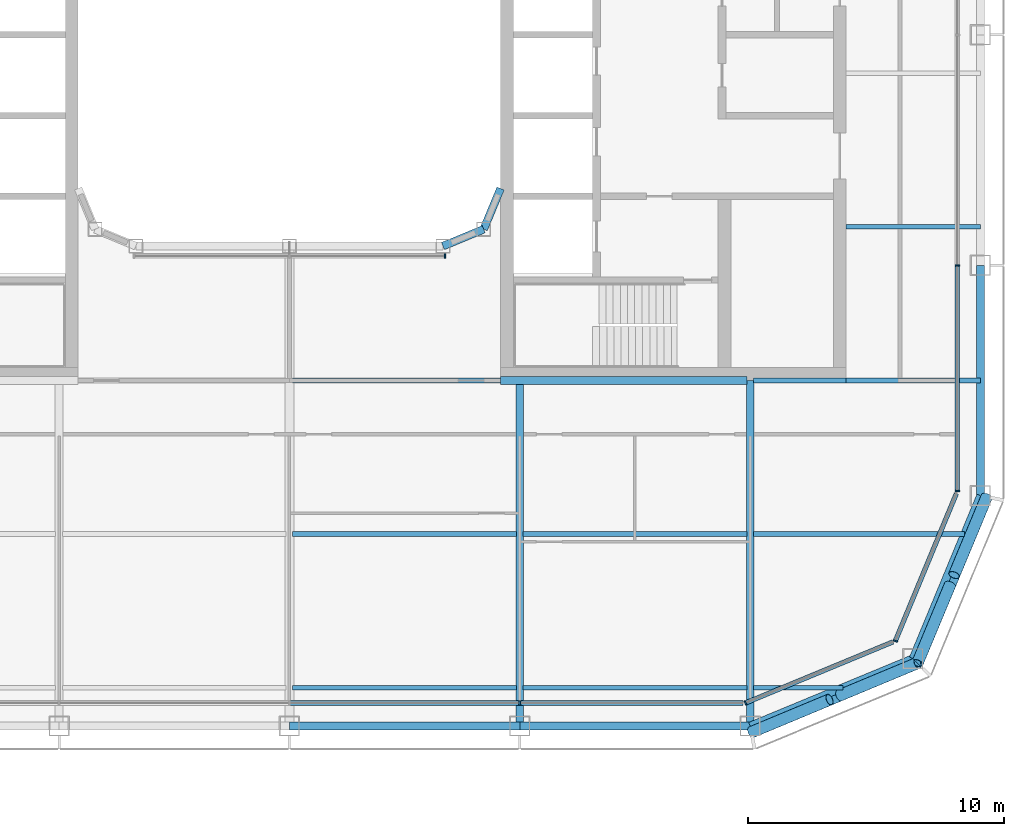
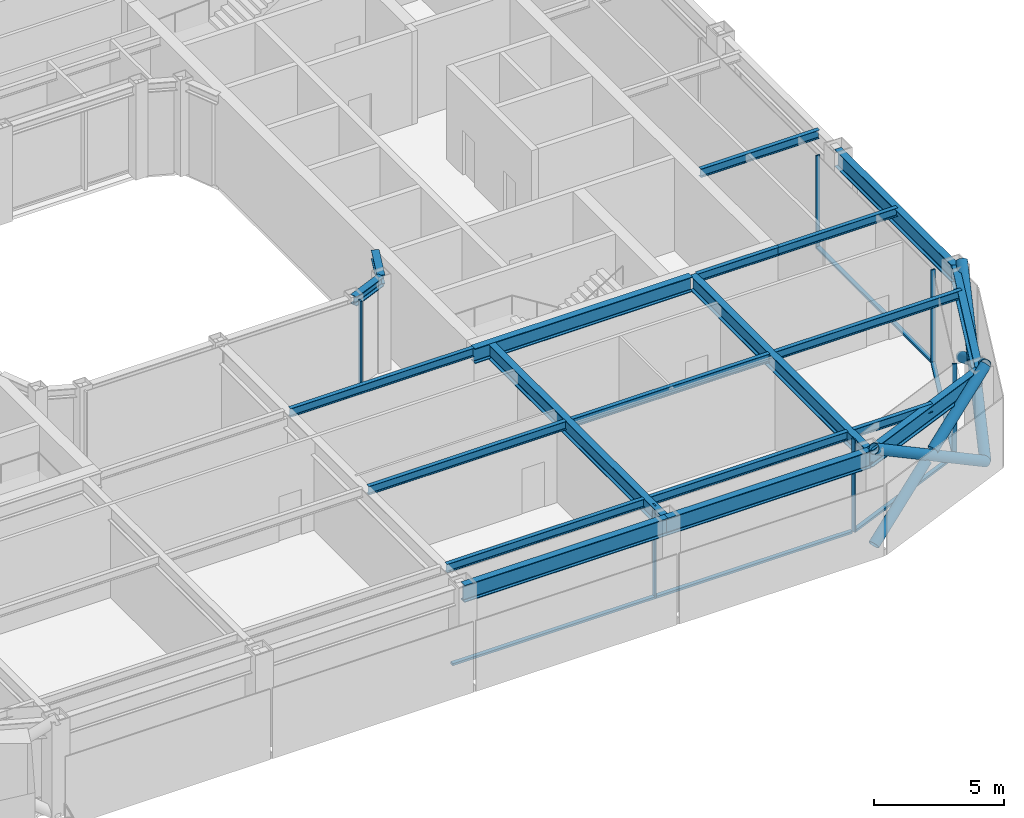
# One storey, part 4 of 23: 20 beams, 17 members, 5 elements without a shape of their own.
"""IFC4 building model written with IfcOpenShell, lengths in metres."""

from ifc_helpers import new_model, si_unit, direction, frame, origin, origin_2d, place, context, subcontext, project, spatial, rectangle, hollow_circle, i_section, extrude, material, layer, layer_set, material_profile, profile_set, type_object, element, aggregate, save


model = new_model("IFC4")

# Units and contexts
model_context = context("Model", 3, precision=1e-05, world=origin(), true_north=direction((0.0, 1.0)))
body_context = subcontext(model_context, "Body", "Model", "MODEL_VIEW")
ifc_project = project(units=[si_unit("LENGTHUNIT", "METRE"), si_unit("AREAUNIT", "SQUARE_METRE"), si_unit("VOLUMEUNIT", "CUBIC_METRE"), si_unit("PLANEANGLEUNIT", "RADIAN"), si_unit("MASSUNIT", "GRAM", prefix="KILO")], contexts=[model_context])

# Site, building, storey
site_placement = place(None, origin())
site = spatial("IfcSite", under=ifc_project, at=site_placement, CompositionType="ELEMENT")
building_placement = place(site_placement, origin())
building = spatial("IfcBuilding", under=site, at=building_placement, Name="Siwar Civic Tower", CompositionType="ELEMENT")
storey_placement = place(building_placement, frame((0.0, 0.0, 269.199951171875)))
storey = spatial("IfcBuildingStorey", under=building, at=storey_placement, Name="L58", CompositionType="ELEMENT", Elevation=269.199951171875)

# Curtain wall, member
ifc_material_1 = material(Name="Aluminium and glass", Category="aluminium")
ifc_layer_1 = layer(ifc_material_1, 0.179931640625)
ifc_layer_set_1 = layer_set([ifc_layer_1], Name="Aluminium and glass")
curtain_wall_type_1 = type_object("IfcCurtainWallType", Name="ENV-CW-C", PredefinedType="NOTDEFINED", material=ifc_layer_set_1)
curtain_wall_1_placement = place(storey_placement, origin())
curtain_wall_1 = element("IfcCurtainWall", 1, at=curtain_wall_1_placement, inside=storey, type_object=curtain_wall_type_1, Name="Curtain wall C S", PredefinedType="NOTDEFINED")
ifc_material_2 = material(Name="Aluminium 6063-T6", Category="aluminium")
ifc_material_profile_1 = material_profile(ifc_material_2, rectangle(XDim=0.179931640625, YDim=0.06005859375, at=origin_2d()), Name="AL 180x60")
ifc_profile_set_1 = profile_set([ifc_material_profile_1], Name="Aluminium 6063-T6")
member_type_1 = type_object("IfcMemberType", Name="ENV-MULLION-C", PredefinedType="MULLION", material=ifc_profile_set_1)
member_1_placement = place(storey_placement, frame((9.0, -26.10009765625, 0.0), z_axis=(0.0, 0.0, 1.0), x_axis=(0.0, 1.0, 0.0)))
member_1 = element("IfcMember", 2, at=member_1_placement, type_object=member_type_1, Name="Mullion C S 4", PredefinedType="MULLION", context=body_context, shape_type="SweptSolid", body=[
    extrude(rectangle(XDim=0.179931640625, YDim=0.06005859375, at=origin_2d()), origin(), (0.0, 0.0, 1.0), 4.35009765625),
])

ifc_material_3 = material(Name="Aluminium clad insulated panel", Category="aluminium")
ifc_layer_2 = layer(ifc_material_3, 0.179931640625)
ifc_layer_set_2 = layer_set([ifc_layer_2], Name="Aluminium clad insulated panel")
curtain_wall_type_2 = type_object("IfcCurtainWallType", Name="ENV-CW-CX", PredefinedType="NOTDEFINED", material=ifc_layer_set_2)
curtain_wall_2_placement = place(storey_placement, origin())
curtain_wall_2 = element("IfcCurtainWall", 3, at=curtain_wall_2_placement, inside=storey, type_object=curtain_wall_type_2, Name="Curtain wall C SE1", PredefinedType="NOTDEFINED")
member_2_placement = place(storey_placement, frame((17.821044921875, -26.10009765625, 0.0), z_axis=(0.0, 0.0, 1.0), x_axis=(-0.382683432365, 0.923879532511, 0.0)))
member_2 = element("IfcMember", 4, at=member_2_placement, type_object=member_type_1, Name="Mullion C SE1 1", PredefinedType="MULLION", context=body_context, shape_type="SweptSolid", body=[
    extrude(rectangle(XDim=0.179931640625, YDim=0.06005859375, at=origin_2d()), origin(), (0.0, 0.0, 1.0), 4.35009765625),
])

curtain_wall_3_placement = place(storey_placement, origin())
curtain_wall_3 = element("IfcCurtainWall", 5, at=curtain_wall_3_placement, inside=storey, type_object=curtain_wall_type_2, Name="Curtain wall C SE2", PredefinedType="NOTDEFINED")
member_3_placement = place(storey_placement, frame((23.675048828125, -23.675048828125, 0.0), z_axis=(0.0, 0.0, 1.0), x_axis=(-0.923879532511, 0.382683432365, 0.0)))
member_3 = element("IfcMember", 6, at=member_3_placement, type_object=member_type_1, Name="Mullion C SE2 1", PredefinedType="MULLION", context=body_context, shape_type="SweptSolid", body=[
    extrude(rectangle(XDim=0.179931640625, YDim=0.06005859375, at=origin_2d()), origin(), (0.0, 0.0, 1.0), 4.35009765625),
])

# Curtain wall, members
curtain_wall_4_placement = place(storey_placement, origin())
curtain_wall_4 = element("IfcCurtainWall", 7, at=curtain_wall_4_placement, inside=storey, type_object=curtain_wall_type_1, Name="Curtain wall C E", PredefinedType="NOTDEFINED")
member_4_placement = place(storey_placement, frame((26.10009765625, -17.821044921875, 0.0), z_axis=(0.0, 0.0, 1.0), x_axis=(-1.0, 0.0, 0.0)))
member_4 = element("IfcMember", 8, at=member_4_placement, type_object=member_type_1, Name="Mullion C E 1", PredefinedType="MULLION", context=body_context, shape_type="SweptSolid", body=[
    extrude(rectangle(XDim=0.179931640625, YDim=0.06005859375, at=origin_2d()), origin(), (0.0, 0.0, 1.0), 4.35009765625),
])
member_5_placement = place(storey_placement, frame((26.10009765625, -9.0, 0.0), z_axis=(0.0, 0.0, 1.0), x_axis=(-1.0, 0.0, 0.0)))
member_5 = element("IfcMember", 9, at=member_5_placement, type_object=member_type_1, Name="Mullion C E 2", PredefinedType="MULLION", context=body_context, shape_type="SweptSolid", body=[
    extrude(rectangle(XDim=0.179931640625, YDim=0.06005859375, at=origin_2d()), origin(), (0.0, 0.0, 1.0), 4.35009765625),
])

# Curtain wall, member
ifc_material_4 = material(Name="Aluminium and glass", Category="aluminium")
ifc_layer_3 = layer(ifc_material_4, 0.179931640625)
ifc_layer_set_3 = layer_set([ifc_layer_3], Name="Aluminium and glass")
curtain_wall_type_3 = type_object("IfcCurtainWallType", Name="ENV-CW-W", PredefinedType="NOTDEFINED", material=ifc_layer_set_3)
curtain_wall_5_placement = place(storey_placement, origin())
curtain_wall_5 = element("IfcCurtainWall", 10, at=curtain_wall_5_placement, inside=storey, type_object=curtain_wall_type_3, Name="Curtain wall W WS", PredefinedType="NOTDEFINED")
ifc_material_5 = material(Name="Aluminium 6063-T6", Category="aluminium")
ifc_material_profile_2 = material_profile(ifc_material_5, rectangle(XDim=0.179931640625, YDim=0.06005859375, at=origin_2d()), Name="AL 180x60")
ifc_profile_set_2 = profile_set([ifc_material_profile_2], Name="Aluminium 6063-T6")
member_type_2 = type_object("IfcMemberType", Name="ENV-MULLION-W", PredefinedType="MULLION", material=ifc_profile_set_2)
member_6_placement = place(storey_placement, frame((6.07666015625, -8.635009765625, 0.0), z_axis=(0.0, 0.0, 1.0), x_axis=(0.0, 1.0, 0.0)))
member_6 = element("IfcMember", 11, at=member_6_placement, type_object=member_type_2, Name="Mullion W WS 3", PredefinedType="MULLION", context=body_context, shape_type="SweptSolid", body=[
    extrude(rectangle(XDim=0.179931640625, YDim=0.06005859375, at=origin_2d()), origin(), (0.0, 0.0, 1.0), 4.35009765625),
])
aggregate(curtain_wall_5, [member_6])

# Member
ifc_material_6 = material(Name="Aluminium 6063-T6", Category="aluminium")
ifc_material_profile_3 = material_profile(ifc_material_6, rectangle(XDim=0.179931640625, YDim=0.10009765625, at=origin_2d()), Name="AL 180x100")
ifc_profile_set_3 = profile_set([ifc_material_profile_3], Name="Aluminium 6063-T6")
member_type_3 = type_object("IfcMemberType", Name="ENV-TRANSOM-C", PredefinedType="USERDEFINED", material=ifc_profile_set_3)
member_7_placement = place(storey_placement, frame((0.030029296875, -26.10009765625, 0.050048828125), z_axis=(1.0, 0.0, 0.0), x_axis=(0.0, 1.0, 0.0)))
member_7 = element("IfcMember", 12, at=member_7_placement, type_object=member_type_3, Name="Transom C S 3", ObjectType="TRANSOM", PredefinedType="USERDEFINED", context=body_context, shape_type="SweptSolid", body=[
    extrude(rectangle(XDim=0.179931640625, YDim=0.10009765625, at=origin_2d()), origin(), (0.0, 0.0, 1.0), 8.93994140625),
])

member_8_placement = place(storey_placement, frame((9.030029296875, -26.10009765625, 0.050048828125), z_axis=(1.0, 0.0, 0.0), x_axis=(0.0, 1.0, 0.0)))
member_8 = element("IfcMember", 13, at=member_8_placement, type_object=member_type_3, Name="Transom C S 4", ObjectType="TRANSOM", PredefinedType="USERDEFINED", context=body_context, shape_type="SweptSolid", body=[
    extrude(rectangle(XDim=0.179931640625, YDim=0.10009765625, at=origin_2d()), origin(), (0.0, 0.0, 1.0), 8.68603515625),
])

aggregate(curtain_wall_1, [member_1, member_7, member_8])

member_9_placement = place(storey_placement, frame((17.8486328125, -26.088623046875, 0.050048828125), z_axis=(0.923882011223, 0.38267744817, 0.0), x_axis=(-0.38267744817, 0.923882011223, 0.0)))
member_9 = element("IfcMember", 14, at=member_9_placement, type_object=member_type_3, Name="Transom C SE1 1", ObjectType="TRANSOM", PredefinedType="USERDEFINED", context=body_context, shape_type="SweptSolid", body=[
    extrude(rectangle(XDim=0.179931640625, YDim=0.10009765625, at=origin_2d()), origin(), (0.0, 0.0, 1.0), 6.201904296875),
])

aggregate(curtain_wall_2, [member_2, member_9])

member_10_placement = place(storey_placement, frame((23.6865234375, -23.6474609375, 0.050048828125), z_axis=(0.382691366456, 0.923876246063, 0.0), x_axis=(-0.923876246063, 0.382691366456, 0.0)))
member_10 = element("IfcMember", 15, at=member_10_placement, type_object=member_type_3, Name="Transom C SE2 1", ObjectType="TRANSOM", PredefinedType="USERDEFINED", context=body_context, shape_type="SweptSolid", body=[
    extrude(rectangle(XDim=0.179931640625, YDim=0.10009765625, at=origin_2d()), origin(), (0.0, 0.0, 1.0), 6.20166015625),
])

aggregate(curtain_wall_3, [member_3, member_10])

member_11_placement = place(storey_placement, frame((26.10009765625, -17.791015625, 0.050048828125), z_axis=(0.0, 1.0, 0.0), x_axis=(-1.0, 0.0, 0.0)))
member_11 = element("IfcMember", 16, at=member_11_placement, type_object=member_type_3, Name="Transom C E 1", ObjectType="TRANSOM", PredefinedType="USERDEFINED", context=body_context, shape_type="SweptSolid", body=[
    extrude(rectangle(XDim=0.179931640625, YDim=0.10009765625, at=origin_2d()), origin(), (0.0, 0.0, 1.0), 8.760986328125),
])

aggregate(curtain_wall_4, [member_4, member_5, member_11])

# Members
ifc_material_7 = material(Name="Steel S355", Category="steel")
ifc_material_profile_4 = material_profile(ifc_material_7, hollow_circle(Radius=0.228515625, WallThickness=0.02001953125, at=origin_2d()), Name="CHS457x20")
ifc_profile_set_4 = profile_set([ifc_material_profile_4], Name="Steel S355")
member_type_4 = type_object("IfcMemberType", Name="STR-BR-CHS457x20", PredefinedType="BRACE", material=ifc_profile_set_4)
member_12_placement = place(storey_placement, frame((24.540771484375, -24.540771484375, 0.0), z_axis=(0.323905527954, 0.777554562952, 0.538975055633), x_axis=(-0.923108759191, 0.384538969033, 0.0)))
element("IfcMember", 17, at=member_12_placement, inside=storey, type_object=member_type_4, Name="L58/brc/CSE1-18-0-1", PredefinedType="BRACE", context=body_context, shape_type="SweptSolid", body=[
    extrude(hollow_circle(Radius=0.228515625, WallThickness=0.02001953125, at=origin_2d()), origin(), (0.0, 0.0, 1.0), 8.34912109375),
])
for number, where, z_axis, x_axis, name in (
    (18, (27.2451171875, -18.048828125, 0.0), (-0.323884455881, -0.777546448489, 0.538999424564), (0.92311621485, -0.38452107079, 0.0), "L58/brc/CSE1-18-0-2"),
    (19, (25.81298828125, -21.486572265625, 2.383056640625), (-0.323895306243, -0.777572496853, 0.538955325357), (0.92311621485, -0.38452107079, 0.0), "L58/brc/CSE1-18-0-3"),
):
    element("IfcMember", number, at=place(storey_placement, frame(where, z_axis=z_axis, x_axis=x_axis)), inside=storey, type_object=member_type_4, Name=name, PredefinedType="BRACE", context=body_context, shape_type="SweptSolid", body=[
        extrude(hollow_circle(Radius=0.228515625, WallThickness=0.02001953125, at=origin_2d()), origin(), (0.0, 0.0, 1.0), 3.927978515625),
    ])
member_13_placement = place(storey_placement, frame((24.540771484375, -24.540771484375, 0.0), z_axis=(-0.777554562952, -0.323905527954, 0.538975055633), x_axis=(0.384538969033, -0.923108759191, 0.0)))
element("IfcMember", 20, at=member_13_placement, inside=storey, type_object=member_type_4, Name="L58/brc/CSE1-18-0-0", PredefinedType="BRACE", context=body_context, shape_type="SweptSolid", body=[
    extrude(hollow_circle(Radius=0.228515625, WallThickness=0.02001953125, at=origin_2d()), origin(), (0.0, 0.0, 1.0), 8.34912109375),
])
for number, where, z_axis, x_axis, name in (
    (21, (18.048828125, -27.2451171875, 0.0), (0.777546448489, 0.323884455881, 0.538999424564), (-0.38452107079, 0.92311621485, 0.0), "L58/brc/CSE1-18-0-4"),
    (22, (21.486572265625, -25.81298828125, 2.383056640625), (0.777572496853, 0.323895306243, 0.538955325357), (-0.38452107079, 0.92311621485, 0.0), "L58/brc/CSE1-18-0-5"),
):
    element("IfcMember", number, at=place(storey_placement, frame(where, z_axis=z_axis, x_axis=x_axis)), inside=storey, type_object=member_type_4, Name=name, PredefinedType="BRACE", context=body_context, shape_type="SweptSolid", body=[
        extrude(hollow_circle(Radius=0.228515625, WallThickness=0.02001953125, at=origin_2d()), origin(), (0.0, 0.0, 1.0), 3.927978515625),
    ])

# Beams
ifc_material_8 = material(Name="Steel S355", Category="steel")
ifc_material_profile_5 = material_profile(ifc_material_8, i_section(OverallWidth=0.179931640625, OverallDepth=0.39990234375, WebThickness=0.008544921875, FlangeThickness=0.013427734375, FilletRadius=0.02099609375, at=origin_2d()), Name="IPE400")
ifc_profile_set_5 = profile_set([ifc_material_profile_5], Name="Steel S355")
beam_type_1 = type_object("IfcBeamType", Name="STR-FB-IPE400", PredefinedType="JOIST", material=ifc_profile_set_5)
for number, where, z_axis, x_axis, name in (
    (23, (0.1298828125, -25.5, 4.150146484375), (1.0, 0.0, 0.0), (0.0, 1.0, 0.0), "L58/bm/F004"),
    (24, (9.1298828125, -25.5, 4.150146484375), (1.0, 0.0, 0.0), (0.0, 1.0, 0.0), "L58/bm/F005"),
):
    element("IfcBeam", number, at=place(storey_placement, frame(where, z_axis=z_axis, x_axis=x_axis)), inside=storey, type_object=beam_type_1, Name=name, PredefinedType="JOIST", context=body_context, shape_type="SweptSolid", body=[
        extrude(i_section(OverallWidth=0.179931640625, OverallDepth=0.39990234375, WebThickness=0.008544921875, FlangeThickness=0.013427734375, FilletRadius=0.02099609375, at=origin_2d()), origin(), (0.0, 0.0, 1.0), 8.740234375),
    ])
beam_1_placement = place(storey_placement, frame((18.1298828125, -25.5, 4.150146484375), z_axis=(1.0, 0.0, 0.0), x_axis=(0.0, 1.0, 0.0)))
element("IfcBeam", 25, at=beam_1_placement, inside=storey, type_object=beam_type_1, Name="L58/bm/F006", PredefinedType="JOIST", context=body_context, shape_type="SweptSolid", body=[
    extrude(i_section(OverallWidth=0.179931640625, OverallDepth=0.39990234375, WebThickness=0.008544921875, FlangeThickness=0.013427734375, FilletRadius=0.02099609375, at=origin_2d()), origin(), (0.0, 0.0, 1.0), 3.491455078125),
])
for number, where, z_axis, x_axis, name in (
    (26, (0.1298828125, -19.5, 4.150146484375), (1.0, 0.0, 0.0), (0.0, 1.0, 0.0), "L58/bm/F010"),
    (27, (9.1298828125, -19.5, 4.150146484375), (1.0, 0.0, 0.0), (0.0, 1.0, 0.0), "L58/bm/F011"),
):
    element("IfcBeam", number, at=place(storey_placement, frame(where, z_axis=z_axis, x_axis=x_axis)), inside=storey, type_object=beam_type_1, Name=name, PredefinedType="JOIST", context=body_context, shape_type="SweptSolid", body=[
        extrude(i_section(OverallWidth=0.179931640625, OverallDepth=0.39990234375, WebThickness=0.008544921875, FlangeThickness=0.013427734375, FilletRadius=0.02099609375, at=origin_2d()), origin(), (0.0, 0.0, 1.0), 8.740234375),
    ])
beam_2_placement = place(storey_placement, frame((18.1298828125, -19.5, 4.150146484375), z_axis=(1.0, 0.0, 0.0), x_axis=(0.0, 1.0, 0.0)))
element("IfcBeam", 28, at=beam_2_placement, inside=storey, type_object=beam_type_1, Name="L58/bm/F012", PredefinedType="JOIST", context=body_context, shape_type="SweptSolid", body=[
    extrude(i_section(OverallWidth=0.179931640625, OverallDepth=0.39990234375, WebThickness=0.008544921875, FlangeThickness=0.013427734375, FilletRadius=0.02099609375, at=origin_2d()), origin(), (0.0, 0.0, 1.0), 8.248779296875),
])
beam_3_placement = place(storey_placement, frame((0.1298828125, -13.5, 4.150146484375), z_axis=(1.0, 0.0, 0.0), x_axis=(0.0, 1.0, 0.0)))
element("IfcBeam", 29, at=beam_3_placement, inside=storey, type_object=beam_type_1, Name="L58/bm/F017", PredefinedType="JOIST", context=body_context, shape_type="SweptSolid", body=[
    extrude(i_section(OverallWidth=0.179931640625, OverallDepth=0.39990234375, WebThickness=0.008544921875, FlangeThickness=0.013427734375, FilletRadius=0.02099609375, at=origin_2d()), origin(), (0.0, 0.0, 1.0), 8.1201171875),
])
beam_4_placement = place(storey_placement, frame((18.1298828125, -13.5, 4.150146484375), z_axis=(1.0, 0.0, 0.0), x_axis=(0.0, 1.0, 0.0)))
element("IfcBeam", 30, at=beam_4_placement, inside=storey, type_object=beam_type_1, Name="L58/bm/F019", PredefinedType="JOIST", context=body_context, shape_type="SweptSolid", body=[
    extrude(i_section(OverallWidth=0.179931640625, OverallDepth=0.39990234375, WebThickness=0.008544921875, FlangeThickness=0.013427734375, FilletRadius=0.02099609375, at=origin_2d()), origin(), (0.0, 0.0, 1.0), 3.6201171875),
])
for number, where, z_axis, x_axis, name in (
    (31, (21.75, -13.5, 4.150146484375), (1.0, 0.0, 0.0), (0.0, 1.0, 0.0), "L58/bm/F020"),
    (32, (21.75, -7.5, 4.150146484375), (1.0, 0.0, 0.0), (0.0, 1.0, 0.0), "L58/bm/F022"),
):
    element("IfcBeam", number, at=place(storey_placement, frame(where, z_axis=z_axis, x_axis=x_axis)), inside=storey, type_object=beam_type_1, Name=name, PredefinedType="JOIST", context=body_context, shape_type="SweptSolid", body=[
        extrude(i_section(OverallWidth=0.179931640625, OverallDepth=0.39990234375, WebThickness=0.008544921875, FlangeThickness=0.013427734375, FilletRadius=0.02099609375, at=origin_2d()), origin(), (0.0, 0.0, 1.0), 5.25),
    ])
ifc_material_9 = material(Name="Steel S355", Category="steel")
ifc_material_profile_6 = material_profile(ifc_material_9, i_section(OverallWidth=0.300048828125, OverallDepth=0.699951171875, WebThickness=0.01708984375, FlangeThickness=0.031982421875, FilletRadius=0.027099609375, at=origin_2d()), Name="HEB700")
ifc_profile_set_6 = profile_set([ifc_material_profile_6], Name="Steel S355")
beam_type_2 = type_object("IfcBeamType", Name="STR-PG-HEB700", PredefinedType="BEAM", material=ifc_profile_set_6)
for number, where, z_axis, x_axis, name in (
    (33, (9.0, -27.0, 4.0), (0.0, 1.0, 0.0), (-1.0, 0.0, 0.0), "L58/bm/G07"),
    (34, (18.0, -27.0, 4.0), (0.0, 1.0, 0.0), (-1.0, 0.0, 0.0), "L58/bm/G09"),
):
    element("IfcBeam", number, at=place(storey_placement, frame(where, z_axis=z_axis, x_axis=x_axis)), inside=storey, type_object=beam_type_2, Name=name, PredefinedType="BEAM", context=body_context, shape_type="SweptSolid", body=[
        extrude(i_section(OverallWidth=0.300048828125, OverallDepth=0.699951171875, WebThickness=0.01708984375, FlangeThickness=0.031982421875, FilletRadius=0.027099609375, at=origin_2d()), origin(), (0.0, 0.0, 1.0), 13.5),
    ])
beam_5_placement = place(storey_placement, frame((8.25, -13.5, 4.0), z_axis=(1.0, 0.0, 0.0), x_axis=(0.0, 1.0, 0.0)))
element("IfcBeam", 35, at=beam_5_placement, inside=storey, type_object=beam_type_2, Name="L58/bm/F018", PredefinedType="BEAM", context=body_context, shape_type="SweptSolid", body=[
    extrude(i_section(OverallWidth=0.300048828125, OverallDepth=0.699951171875, WebThickness=0.01708984375, FlangeThickness=0.031982421875, FilletRadius=0.027099609375, at=origin_2d()), origin(), (0.0, 0.0, 1.0), 9.6201171875),
])
ifc_material_10 = material(Name="Steel S355", Category="steel")
ifc_material_profile_7 = material_profile(ifc_material_10, i_section(OverallWidth=0.306884765625, OverallDepth=0.431884765625, WebThickness=0.02099609375, FlangeThickness=0.0400390625, FilletRadius=0.027099609375, at=origin_2d()), Name="HEM400")
ifc_profile_set_7 = profile_set([ifc_material_profile_7], Name="Steel S355")
beam_type_3 = type_object("IfcBeamType", Name="STR-RB-HEM400", PredefinedType="BEAM", material=ifc_profile_set_7)
for number, where, z_axis, x_axis, name in (
    (36, (6.0, -8.25, 4.134033203125), (0.923901072997, 0.382631424892, 0.0), (-0.382631424892, 0.923901072997, 0.0), "L58/bm/RS3"),
    (37, (7.591064453125, -7.591064453125, 4.134033203125), (0.382631424892, 0.923901072997, 0.0), (-0.923901072997, 0.382631424892, 0.0), "L58/bm/RSEE"),
):
    element("IfcBeam", number, at=place(storey_placement, frame(where, z_axis=z_axis, x_axis=x_axis)), inside=storey, type_object=beam_type_3, Name=name, PredefinedType="BEAM", context=body_context, shape_type="SweptSolid", body=[
        extrude(i_section(OverallWidth=0.306884765625, OverallDepth=0.431884765625, WebThickness=0.02099609375, FlangeThickness=0.0400390625, FilletRadius=0.027099609375, at=origin_2d()), origin(), (0.0, 0.0, 1.0), 1.72216796875),
    ])
ifc_material_11 = material(Name="Steel S355", Category="steel")
ifc_material_profile_8 = material_profile(ifc_material_11, i_section(OverallWidth=0.300048828125, OverallDepth=0.800048828125, WebThickness=0.017578125, FlangeThickness=0.032958984375, FilletRadius=0.030029296875, at=origin_2d()), Name="HEB800")
ifc_profile_set_8 = profile_set([ifc_material_profile_8], Name="Steel S355")
beam_type_4 = type_object("IfcBeamType", Name="STR-SB-HEB800", PredefinedType="BEAM", material=ifc_profile_set_8)
for number, where, z_axis, x_axis, name in (
    (38, (0.0, -27.0, 3.949951171875), (1.0, 0.0, 0.0), (0.0, 1.0, 0.0), "L58/bm/SS-2"),
    (39, (9.0, -27.0, 3.949951171875), (1.0, 0.0, 0.0), (0.0, 1.0, 0.0), "L58/bm/SS-3"),
):
    element("IfcBeam", number, at=place(storey_placement, frame(where, z_axis=z_axis, x_axis=x_axis)), inside=storey, type_object=beam_type_4, Name=name, PredefinedType="BEAM", context=body_context, shape_type="SweptSolid", body=[
        extrude(i_section(OverallWidth=0.300048828125, OverallDepth=0.800048828125, WebThickness=0.017578125, FlangeThickness=0.032958984375, FilletRadius=0.030029296875, at=origin_2d()), origin(), (0.0, 0.0, 1.0), 9.0),
    ])
for number, where, z_axis, x_axis, name in (
    (40, (18.0, -27.0, 3.949951171875), (0.923883353507, 0.382674207535, 0.0), (-0.382674207535, 0.923883353507, 0.0), "L58/bm/SSE1-0"),
    (41, (24.364013671875, -24.364013671875, 3.949951171875), (0.382674207535, 0.923883353507, 0.0), (-0.923883353507, 0.382674207535, 0.0), "L58/bm/SSE2-0"),
):
    element("IfcBeam", number, at=place(storey_placement, frame(where, z_axis=z_axis, x_axis=x_axis)), inside=storey, type_object=beam_type_4, Name=name, PredefinedType="BEAM", context=body_context, shape_type="SweptSolid", body=[
        extrude(i_section(OverallWidth=0.300048828125, OverallDepth=0.800048828125, WebThickness=0.017578125, FlangeThickness=0.032958984375, FilletRadius=0.030029296875, at=origin_2d()), origin(), (0.0, 0.0, 1.0), 6.888427734375),
    ])
beam_6_placement = place(storey_placement, frame((27.0, -18.0, 3.949951171875), z_axis=(0.0, 1.0, 0.0), x_axis=(-1.0, 0.0, 0.0)))
element("IfcBeam", 42, at=beam_6_placement, inside=storey, type_object=beam_type_4, Name="L58/bm/SE-0", PredefinedType="BEAM", context=body_context, shape_type="SweptSolid", body=[
    extrude(i_section(OverallWidth=0.300048828125, OverallDepth=0.800048828125, WebThickness=0.017578125, FlangeThickness=0.032958984375, FilletRadius=0.030029296875, at=origin_2d()), origin(), (0.0, 0.0, 1.0), 9.0),
])

save(model, "model.ifc")
